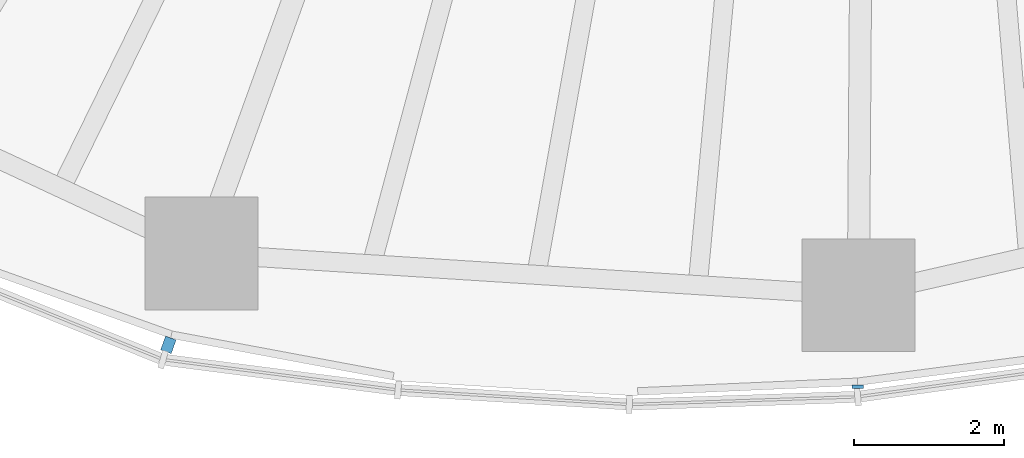
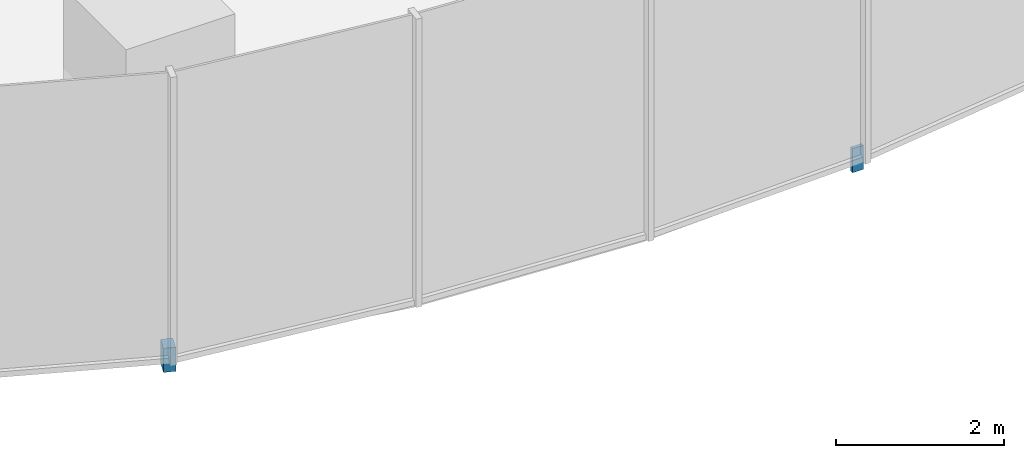
# One storey, part 12 of 18: 2 discrete accessories.
"""IFC4 building model written with IfcOpenShell, lengths in metres."""

from ifc_helpers import new_model, si_unit, direction, frame, origin, origin_2d, place, context, subcontext, project, spatial, rectangle, extrude, material, type_object, element, save


model = new_model("IFC4")

# Units and contexts
model_context = context("Model", 3, precision=1e-05, world=origin(), true_north=direction((0.0, 1.0)))
body_context = subcontext(model_context, "Body", "Model", "MODEL_VIEW")
ifc_project = project(units=[si_unit("LENGTHUNIT", "METRE"), si_unit("AREAUNIT", "SQUARE_METRE"), si_unit("VOLUMEUNIT", "CUBIC_METRE"), si_unit("PLANEANGLEUNIT", "RADIAN"), si_unit("MASSUNIT", "GRAM", prefix="KILO")], contexts=[model_context])

# Site, building, storey
site_placement = place(None, origin())
site = spatial("IfcSite", under=ifc_project, at=site_placement, CompositionType="ELEMENT")
building_placement = place(site_placement, origin())
building = spatial("IfcBuilding", under=site, at=building_placement, Name="Ghaith Harvest Tower", CompositionType="ELEMENT")
storey_placement = place(building_placement, frame((0.0, 0.0, 121.800048828125)))
storey = spatial("IfcBuildingStorey", under=building, at=storey_placement, Name="L25", CompositionType="ELEMENT", Elevation=121.800048828125)

# Discrete accessories
ifc_material_1 = material(Name="Stainless steel grade 1.4401", Category="steel")
discrete_accessory_type_1 = type_object("IfcDiscreteAccessoryType", Name="CURTAIN WALL BRACKET 195", PredefinedType="BRACKET", material=ifc_material_1)
discrete_accessory_1_placement = place(storey_placement, frame((-9.348388671875, -25.883544921875, -0.25), z_axis=(0.0, 0.0, 1.0), x_axis=(-0.33969945263, -0.940534040789, 0.0)))
element("IfcDiscreteAccessory", 1, at=discrete_accessory_1_placement, inside=storey, type_object=discrete_accessory_type_1, Name="CW-L bracket 1 bay 15 L25", PredefinedType="BRACKET", context=body_context, shape_type="SweptSolid", body=[
    extrude(rectangle(XDim=0.195068359375, YDim=0.14990234375, at=origin_2d()), origin(), (0.0, 0.0, 1.0), 0.35009765625),
])
ifc_material_2 = material(Name="Stainless steel grade 1.4401", Category="steel")
discrete_accessory_type_2 = type_object("IfcDiscreteAccessoryType", Name="CURTAIN WALL BRACKET 45", PredefinedType="BRACKET", material=ifc_material_2)
discrete_accessory_2_placement = place(storey_placement, frame((-0.180908203125, -26.441162109375, -0.25), z_axis=(0.0, 0.0, 1.0), x_axis=(-0.006843747957, -0.999976581283, 0.0)))
element("IfcDiscreteAccessory", 2, at=discrete_accessory_2_placement, inside=storey, type_object=discrete_accessory_type_2, Name="CW-L bracket 1 bay 16 L25", PredefinedType="BRACKET", context=body_context, shape_type="SweptSolid", body=[
    extrude(rectangle(XDim=0.044921875, YDim=0.14990234375, at=origin_2d()), origin(), (0.0, 0.0, 1.0), 0.35009765625),
])

save(model, "model.ifc")
